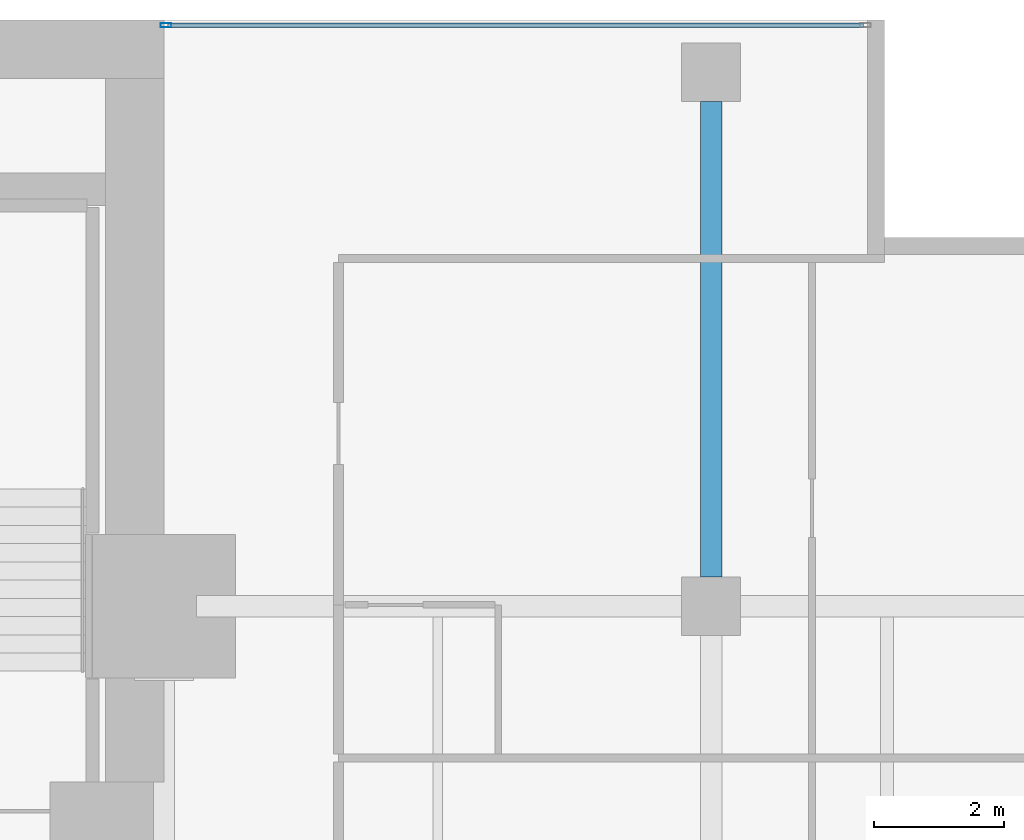
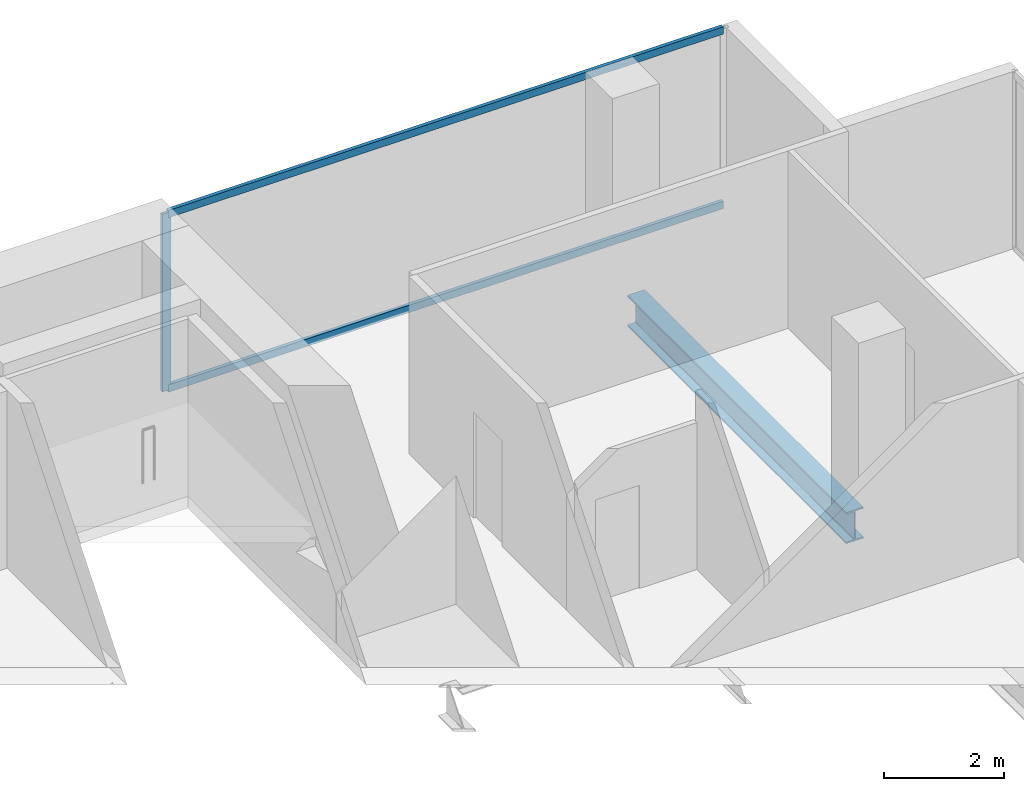
# One storey, part 30 of 40: 3 members, 1 beam, 1 element without a shape of its own.
"""IFC4 building model written with IfcOpenShell, lengths in metres."""

from ifc_helpers import new_model, si_unit, direction, frame, origin, origin_2d, place, context, subcontext, project, spatial, hollow_rectangle, i_section, extrude, material, layer, layer_set, material_profile, profile_set, type_object, element, aggregate, save


model = new_model("IFC4")

# Units and contexts
model_context = context("Model", 3, precision=1e-05, world=origin(), true_north=direction((0.0, 1.0)))
body_context = subcontext(model_context, "Body", "Model", "MODEL_VIEW")
ifc_project = project(units=[si_unit("LENGTHUNIT", "METRE"), si_unit("AREAUNIT", "SQUARE_METRE"), si_unit("VOLUMEUNIT", "CUBIC_METRE"), si_unit("PLANEANGLEUNIT", "RADIAN"), si_unit("MASSUNIT", "GRAM", prefix="KILO")], contexts=[model_context])

# Site, building, storey
site_placement = place(None, origin())
site = spatial("IfcSite", under=ifc_project, at=site_placement, CompositionType="ELEMENT")
building_placement = place(site_placement, origin())
building = spatial("IfcBuilding", under=site, at=building_placement, Name="Maruvema Waterfront Hotel and Observation Tower", CompositionType="ELEMENT")
storey_placement = place(building_placement, frame((0.0, 0.0, 34.64990234375)))
storey = spatial("IfcBuildingStorey", under=building, at=storey_placement, Name="L07", CompositionType="ELEMENT", Elevation=34.64990234375)

# Curtain wall, members
ifc_material_1 = material(Name="Anodised bronze aluminium and solar-control low-E IGU", Category="aluminium")
ifc_layer = layer(ifc_material_1, 0.159912109375, Name="Zone 1 Bronze Inner Thermal Curtain Wall System CW-02")
ifc_layer_set = layer_set([ifc_layer], Name="Anodised bronze aluminium and solar-control low-E IGU")
curtain_wall_type = type_object("IfcCurtainWallType", Name="Zone 1 Bronze Inner Thermal Curtain Wall System CW-02", PredefinedType="USERDEFINED", material=ifc_layer_set)
curtain_wall_placement = place(storey_placement, origin())
curtain_wall = element("IfcCurtainWall", 1, at=curtain_wall_placement, inside=storey, type_object=curtain_wall_type, Name="L07 Curtain Wall CW-L07-NE", ObjectType="UNITISED CURTAIN WALL", PredefinedType="USERDEFINED")
ifc_material_2 = material(Name="Anodised architectural bronze aluminium", Category="aluminium")
ifc_material_profile_1 = material_profile(ifc_material_2, hollow_rectangle(XDim=0.070068359375, YDim=0.14990234375, WallThickness=0.00390625, at=origin_2d()), Name="ALU-T70x150")
ifc_profile_set_1 = profile_set([ifc_material_profile_1], Name="Anodised architectural bronze aluminium")
member_type_1 = type_object("IfcMemberType", Name="Curtain Wall Horizontal Transom ALU-T70x150", PredefinedType="USERDEFINED", material=ifc_profile_set_1)
member_1_placement = place(storey_placement, frame((61.139892578125, 53.919921875, 0.030029296875), z_axis=(-1.0, 0.0, 0.0), x_axis=(0.0, -1.0, 0.0)))
member_1 = element("IfcMember", 2, at=member_1_placement, type_object=member_type_1, Name="CW-02 transom 1.1", ObjectType="TRANSOM", PredefinedType="USERDEFINED", context=body_context, shape_type="SweptSolid", body=[
    extrude(hollow_rectangle(XDim=0.070068359375, YDim=0.14990234375, WallThickness=0.00390625, at=origin_2d()), origin(), (0.0, 0.0, 1.0), 10.679931640625),
])
member_2_placement = place(storey_placement, frame((61.139892578125, 53.919921875, 3.580078125), z_axis=(-1.0, 0.0, 0.0), x_axis=(0.0, -1.0, 0.0)))
member_2 = element("IfcMember", 3, at=member_2_placement, type_object=member_type_1, Name="CW-02 transom 1.2", ObjectType="TRANSOM", PredefinedType="USERDEFINED", context=body_context, shape_type="SweptSolid", body=[
    extrude(hollow_rectangle(XDim=0.070068359375, YDim=0.14990234375, WallThickness=0.00390625, at=origin_2d()), origin(), (0.0, 0.0, 1.0), 10.679931640625),
])
ifc_material_3 = material(Name="Anodised architectural bronze aluminium", Category="aluminium")
ifc_material_profile_2 = material_profile(ifc_material_3, hollow_rectangle(XDim=0.06494140625, YDim=0.1650390625, WallThickness=0.00390625, at=origin_2d()), Name="ALU-M65x165")
ifc_profile_set_2 = profile_set([ifc_material_profile_2], Name="Anodised architectural bronze aluminium")
member_type_2 = type_object("IfcMemberType", Name="Curtain Wall Primary Mullion ALU-M65x165", PredefinedType="MULLION", material=ifc_profile_set_2)
member_3_placement = place(storey_placement, frame((50.429931640625, 53.919921875, 0.0), z_axis=(0.0, 0.0, 1.0), x_axis=(0.0, -1.0, 0.0)))
member_3 = element("IfcMember", 4, at=member_3_placement, type_object=member_type_2, Name="CW-02 mullion 2", PredefinedType="MULLION", context=body_context, shape_type="SweptSolid", body=[
    extrude(hollow_rectangle(XDim=0.06494140625, YDim=0.1650390625, WallThickness=0.00390625, at=origin_2d()), origin(), (0.0, 0.0, 1.0), 3.610107421875),
])
aggregate(curtain_wall, [member_3, member_1, member_2])

# Beam
ifc_material_4 = material(Name="Steel ASTM A572 Grade 50", Category="steel")
ifc_material_profile_3 = material_profile(ifc_material_4, i_section(OverallWidth=0.3291015625, OverallDepth=0.635009765625, WebThickness=0.017822265625, FlangeThickness=0.031005859375, FilletRadius=0.01806640625, at=origin_2d()), Name="W610x241.0")
ifc_profile_set_3 = profile_set([ifc_material_profile_3], Name="Steel ASTM A572 Grade 50")
beam_type = type_object("IfcBeamType", Name="Primary Floor Girder W610x241.0", PredefinedType="BEAM", material=ifc_profile_set_3)
beam_placement = place(storey_placement, frame((58.800048828125, 45.449951171875, -0.557373046875), z_axis=(0.0, 1.0, 0.0), x_axis=(-1.0, 0.0, 0.0)))
element("IfcBeam", 5, at=beam_placement, inside=storey, type_object=beam_type, Name="L07 Floor Girder NS-32", PredefinedType="BEAM", context=body_context, shape_type="SweptSolid", body=[
    extrude(i_section(OverallWidth=0.3291015625, OverallDepth=0.635009765625, WebThickness=0.017822265625, FlangeThickness=0.031005859375, FilletRadius=0.01806640625, at=origin_2d()), origin(), (0.0, 0.0, 1.0), 7.300048828125),
])

save(model, "model.ifc")
